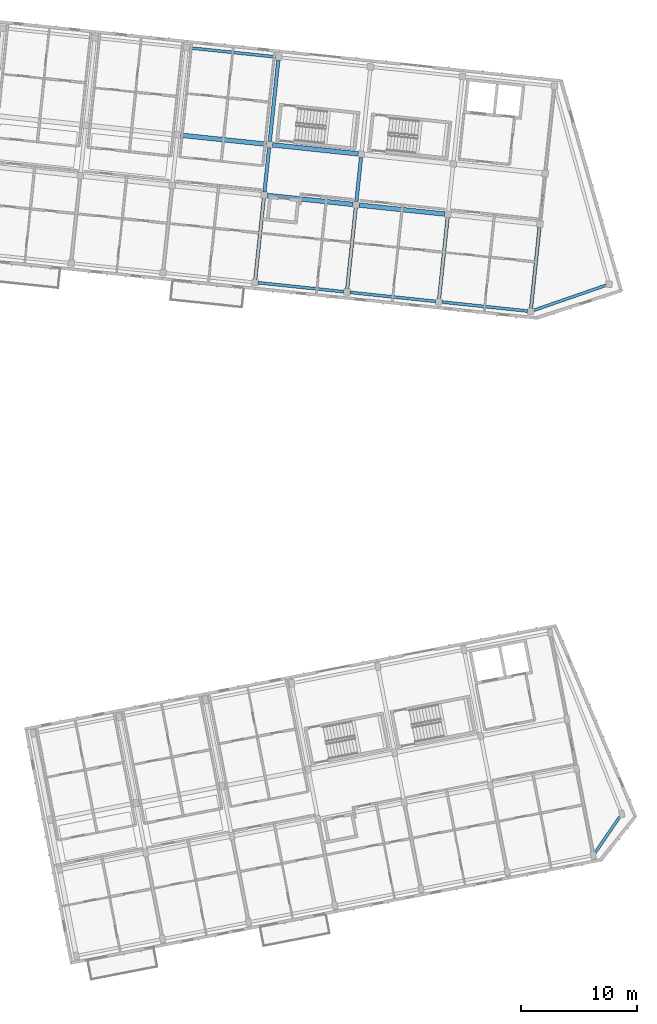
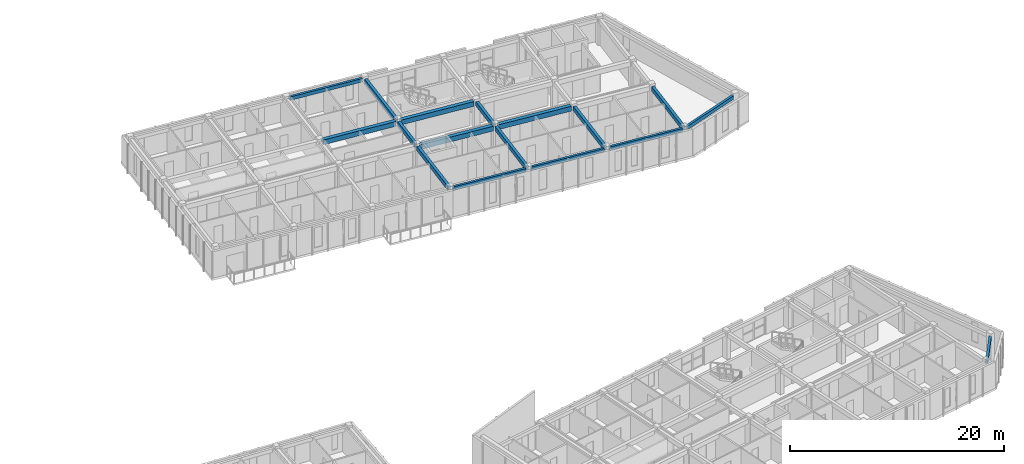
# One storey, part 11 of 65: 17 beams.
"""IFC4 building model written with IfcOpenShell, lengths in metres."""

from ifc_helpers import new_model, si_unit, direction, frame, origin, origin_2d, place, context, subcontext, project, spatial, rectangle, extrude, material, material_profile, profile_set, type_object, element, save


model = new_model("IFC4")

# Units and contexts
model_context = context("Model", 3, precision=1e-05, world=origin(), true_north=direction((0.0, 1.0)))
body_context = subcontext(model_context, "Body", "Model", "MODEL_VIEW")
ifc_project = project(units=[si_unit("LENGTHUNIT", "METRE"), si_unit("AREAUNIT", "SQUARE_METRE"), si_unit("VOLUMEUNIT", "CUBIC_METRE"), si_unit("PLANEANGLEUNIT", "RADIAN"), si_unit("MASSUNIT", "GRAM", prefix="KILO")], contexts=[model_context])

# Site, building, storey
site_placement = place(None, origin())
site = spatial("IfcSite", under=ifc_project, at=site_placement, CompositionType="ELEMENT")
building_placement = place(site_placement, origin())
building = spatial("IfcBuilding", under=site, at=building_placement, Name="Kestramere Prow Commons", CompositionType="ELEMENT")
storey_placement = place(building_placement, frame((0.0, 0.0, 21.39990234375)))
storey = spatial("IfcBuildingStorey", under=building, at=storey_placement, Name="L06", CompositionType="ELEMENT", Elevation=21.39990234375)

# Beams
ifc_material = material(Name="Precast concrete C40/50", Category="concrete")
ifc_material_profile_1 = material_profile(ifc_material, rectangle(XDim=0.39990234375, YDim=0.550048828125, at=origin_2d()), Name="PC-BM 400x550")
ifc_profile_set_1 = profile_set([ifc_material_profile_1], Name="Precast concrete C40/50")
beam_type_1 = type_object("IfcBeamType", Name="BM-B1 PC-BM 400x550", PredefinedType="BEAM", material=ifc_profile_set_1)
for number, where, z_axis, x_axis, name in (
    (1, (134.9365234375, 99.821044921875, 2.72509765625), (0.994520884665, -0.104538079019, 0.0), (0.104538079019, 0.994520884665, 0.0), "Block B L06 Longitudinal Beam 2-4"),
    (2, (142.892578125, 98.984619140625, 2.72509765625), (0.994524291149, -0.104505666419, 0.0), (0.104505666419, 0.994524291149, 0.0), "Block B L06 Longitudinal Beam 2-5"),
    (3, (127.440185546875, 105.032958984375, 2.72509765625), (0.994524291149, -0.104505666419, 0.0), (0.104505666419, 0.994524291149, 0.0), "Block B L06 Longitudinal Beam 3-3"),
):
    element("IfcBeam", number, at=place(storey_placement, frame(where, z_axis=z_axis, x_axis=x_axis)), inside=storey, type_object=beam_type_1, Name=name, PredefinedType="BEAM", context=body_context, shape_type="SweptSolid", body=[
        extrude(rectangle(XDim=0.39990234375, YDim=0.550048828125, at=origin_2d()), origin(), (0.0, 0.0, 1.0), 7.449951171875),
    ])
beam_1_placement = place(storey_placement, frame((135.396240234375, 104.19677734375, 2.72509765625), z_axis=(0.994524649035, -0.104502260561, 0.0), x_axis=(0.104502260561, 0.994524649035, 0.0)))
element("IfcBeam", 4, at=beam_1_placement, inside=storey, type_object=beam_type_1, Name="Block B L06 Longitudinal Beam 3-4", PredefinedType="BEAM", context=body_context, shape_type="SweptSolid", body=[
    extrude(rectangle(XDim=0.39990234375, YDim=0.550048828125, at=origin_2d()), origin(), (0.0, 0.0, 1.0), 7.4501953125),
])
ifc_material_profile_2 = material_profile(ifc_material, rectangle(XDim=0.300048828125, YDim=0.5, at=origin_2d()), Name="PC-BM 300x500")
ifc_profile_set_2 = profile_set([ifc_material_profile_2], Name="Precast concrete C40/50")
beam_type_2 = type_object("IfcBeamType", Name="BM-TIE-01 PC-BM 300x500", PredefinedType="BEAM", material=ifc_profile_set_2)
beam_2_placement = place(storey_placement, frame((133.897216796875, 92.564697265625, 2.75), z_axis=(0.104545981508, 0.994520053971, 0.0), x_axis=(-0.994520053971, 0.104545981508, 0.0)))
element("IfcBeam", 5, at=beam_2_placement, inside=storey, type_object=beam_type_2, Name="Block B L06 Transverse Beam 4-1", PredefinedType="BEAM", context=body_context, shape_type="SweptSolid", body=[
    extrude(rectangle(XDim=0.300048828125, YDim=0.5, at=origin_2d()), origin(), (0.0, 0.0, 1.0), 7.050048828125),
])
beam_3_placement = place(storey_placement, frame((134.691650390625, 100.123291015625, 2.75), z_axis=(0.104569249198, 0.994517607749, 0.0), x_axis=(-0.994517607749, 0.104569249198, 0.0)))
element("IfcBeam", 6, at=beam_3_placement, inside=storey, type_object=beam_type_2, Name="Block B L06 Transverse Beam 4-2", PredefinedType="BEAM", context=body_context, shape_type="SweptSolid", body=[
    extrude(rectangle(XDim=0.300048828125, YDim=0.5, at=origin_2d()), origin(), (0.0, 0.0, 1.0), 3.849853515625),
])
for number, where, z_axis, x_axis, name in (
    (7, (135.151611328125, 104.4990234375, 2.75), (0.104511730475, 0.994523653913, 0.0), (-0.994523653913, 0.104511730475, 0.0), "Block B L06 Transverse Beam 4-3"),
    (8, (141.853515625, 91.728515625, 2.75), (0.104511730475, 0.994523653913, 0.0), (-0.994523653913, 0.104511730475, 0.0), "Block B L06 Transverse Beam 5-1"),
):
    element("IfcBeam", number, at=place(storey_placement, frame(where, z_axis=z_axis, x_axis=x_axis)), inside=storey, type_object=beam_type_2, Name=name, PredefinedType="BEAM", context=body_context, shape_type="SweptSolid", body=[
        extrude(rectangle(XDim=0.300048828125, YDim=0.5, at=origin_2d()), origin(), (0.0, 0.0, 1.0), 7.050048828125),
    ])
beam_4_placement = place(storey_placement, frame((142.64794921875, 99.286865234375, 2.75), z_axis=(0.104499937761, 0.994524893106, 0.0), x_axis=(-0.994524893106, 0.104499937761, 0.0)))
element("IfcBeam", 9, at=beam_4_placement, inside=storey, type_object=beam_type_2, Name="Block B L06 Transverse Beam 5-2", PredefinedType="BEAM", context=body_context, shape_type="SweptSolid", body=[
    extrude(rectangle(XDim=0.300048828125, YDim=0.5, at=origin_2d()), origin(), (0.0, 0.0, 1.0), 3.85009765625),
])
for number, where, z_axis, x_axis, name in (
    (10, (149.8095703125, 90.892333984375, 2.75), (0.104545981508, 0.994520053971, 0.0), (-0.994520053971, 0.104545981508, 0.0), "Block B L06 Transverse Beam 6-1"),
    (11, (157.765869140625, 90.05615234375, 2.75), (0.104511730475, 0.994523653913, 0.0), (-0.994523653913, 0.104511730475, 0.0), "Block B L06 Transverse Beam 7-1"),
):
    element("IfcBeam", number, at=place(storey_placement, frame(where, z_axis=z_axis, x_axis=x_axis)), inside=storey, type_object=beam_type_2, Name=name, PredefinedType="BEAM", context=body_context, shape_type="SweptSolid", body=[
        extrude(rectangle(XDim=0.300048828125, YDim=0.5, at=origin_2d()), origin(), (0.0, 0.0, 1.0), 7.050048828125),
    ])
ifc_material_profile_3 = material_profile(ifc_material, rectangle(XDim=0.25, YDim=0.39990234375, at=origin_2d()), Name="PC-SP 250x400")
ifc_profile_set_3 = profile_set([ifc_material_profile_3], Name="Precast concrete C40/50")
beam_type_3 = type_object("IfcBeamType", Name="SP-EXT-01 PC-SP 250x400", PredefinedType="SPANDREL", material=ifc_profile_set_3)
beam_5_placement = place(storey_placement, frame((158.00146484375, 89.87451171875, 2.800048828125), z_axis=(0.944739829863, 0.327821069901, 0.0), x_axis=(-0.327821069901, 0.944739829863, 0.0)))
element("IfcBeam", 12, at=beam_5_placement, inside=storey, type_object=beam_type_3, Name="Block B L06 Prow Facet Beam S", PredefinedType="SPANDREL", context=body_context, shape_type="SweptSolid", body=[
    extrude(rectangle(XDim=0.25, YDim=0.39990234375, at=origin_2d()), origin(), (0.0, 0.0, 1.0), 6.619873046875),
])
for number, where, z_axis, x_axis, name in (
    (13, (134.14208984375, 92.262451171875, 2.800048828125), (0.994524291149, -0.104505666419, 0.0), (0.104505666419, 0.994524291149, 0.0), "Block B L06 Longitudinal Beam 1-4"),
    (14, (142.09814453125, 91.42626953125, 2.800048828125), (0.994524291149, -0.104505666419, 0.0), (0.104505666419, 0.994524291149, 0.0), "Block B L06 Longitudinal Beam 1-5"),
    (15, (150.054443359375, 90.590087890625, 2.800048828125), (0.994520884665, -0.104538079019, 0.0), (0.104538079019, 0.994520884665, 0.0), "Block B L06 Longitudinal Beam 1-6"),
    (16, (128.234619140625, 112.59130859375, 2.800048828125), (0.994524291149, -0.104505666419, 0.0), (0.104505666419, 0.994524291149, 0.0), "Block B L06 Longitudinal Beam 4-3"),
):
    element("IfcBeam", number, at=place(storey_placement, frame(where, z_axis=z_axis, x_axis=x_axis)), inside=storey, type_object=beam_type_3, Name=name, PredefinedType="SPANDREL", context=body_context, shape_type="SweptSolid", body=[
        extrude(rectangle(XDim=0.25, YDim=0.39990234375, at=origin_2d()), origin(), (0.0, 0.0, 1.0), 7.449951171875),
    ])
beam_6_placement = place(storey_placement, frame((163.320556640625, 42.931640625, 2.800048828125), z_axis=(0.565935255914, 0.824449686829, 0.0), x_axis=(-0.824449686829, 0.565935255914, 0.0)))
element("IfcBeam", 17, at=beam_6_placement, inside=storey, type_object=beam_type_3, Name="Block D L06 Prow Facet Beam S", PredefinedType="SPANDREL", context=body_context, shape_type="SweptSolid", body=[
    extrude(rectangle(XDim=0.25, YDim=0.39990234375, at=origin_2d()), origin(), (0.0, 0.0, 1.0), 3.788818359375),
])

save(model, "model.ifc")
